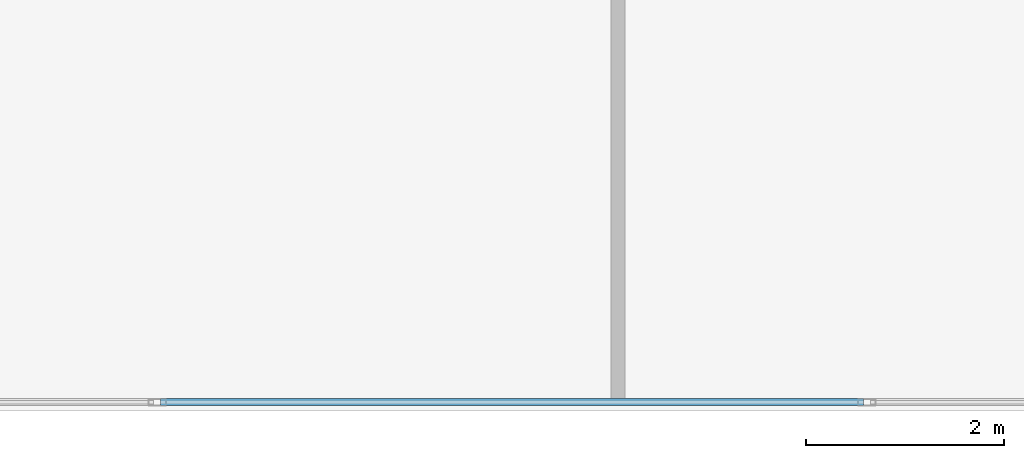
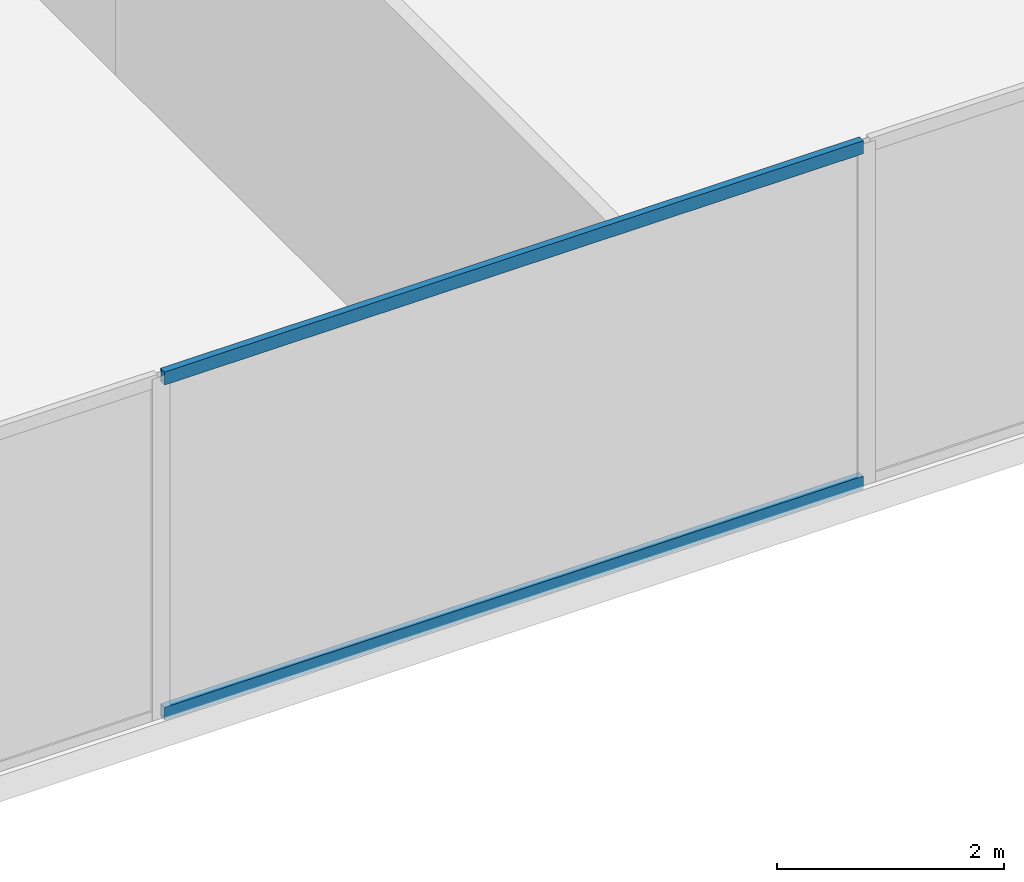
# One storey, part 3 of 28: 2 members, 1 element without a shape of its own.
"""IFC4 building model written with IfcOpenShell, lengths in metres."""

import ifcopenshell
import ifcopenshell.guid

model = None  # the IFC model being written
_history = None  # IfcOwnerHistory: only IFC2X3 demands one
_inside = {}  # id of a spatial element -> (the spatial element, [elements in it])
_under = {}  # id of a project, library or spatial element -> (it, [spatial elements below it])
_declared = {}  # id of a project -> (the project, [libraries it declares])
_typed = {}  # id of a type object -> (the type object, [elements of that type])
_made_of = {}  # id of a material, layer set ... -> (it, [elements and type objects made of it])


def new_model(schema):
    """Start an empty IFC model of exactly this schema.

    Asked for "IFC4X3", IfcOpenShell would pick the latest addendum, in which some entities
    have other attributes; the version numbers below select the first issue.
    IFC2X3 requires an IfcOwnerHistory on every rooted entity: one is made here for all.
    """
    global model, _history
    if schema == "IFC4X3":
        model = ifcopenshell.file(schema_version=(4, 3, 0, 0))
    else:
        model = ifcopenshell.file(schema=schema)
    _inside.clear()
    _under.clear()
    _declared.clear()
    _typed.clear()
    _made_of.clear()
    _history = None
    if model.schema == "IFC2X3":
        org = make("IfcOrganization", Name="unknown")
        user = make(
            "IfcPersonAndOrganization",
            ThePerson=make("IfcPerson", FamilyName="unknown"),
            TheOrganization=org,
        )
        app = make(
            "IfcApplication",
            ApplicationDeveloper=org,
            Version="unknown",
            ApplicationFullName="unknown",
            ApplicationIdentifier="unknown",
        )
        _history = make(
            "IfcOwnerHistory",
            OwningUser=user,
            OwningApplication=app,
            ChangeAction="ADDED",
            CreationDate=0,
        )
    return model


def make(cls, **values):
    """One entity of the class cls with the attributes given. An attribute that is None is left unset."""
    return model.create_entity(
        cls, **{name: value for name, value in values.items() if value is not None}
    )


def rooted(cls, **values):
    """An entity with a GlobalId (a new one), such as an element, a storey or a relation."""
    return make(cls, GlobalId=ifcopenshell.guid.new(), OwnerHistory=_history, **values)


def si_unit(unit_type, name, prefix=None):
    """IfcSIUnit, for example si_unit("LENGTHUNIT", "METRE", prefix="MILLI")."""
    return make("IfcSIUnit", UnitType=unit_type, Prefix=prefix, Name=name)


def assignment(units):
    """IfcUnitAssignment: the units of a project."""
    return None if units is None else make("IfcUnitAssignment", Units=units)


def point(xyz):
    """IfcCartesianPoint."""
    return None if xyz is None else make("IfcCartesianPoint", Coordinates=xyz)


def direction(xyz):
    """IfcDirection."""
    return None if xyz is None else make("IfcDirection", DirectionRatios=xyz)


def frame(location, z_axis=None, x_axis=None):
    """IfcAxis2Placement3D, a coordinate frame: its origin and axes. An axis left out is left unset."""
    return make(
        "IfcAxis2Placement3D",
        Location=point(location),
        Axis=direction(z_axis),
        RefDirection=direction(x_axis),
    )


def frame_2d(location, x_axis=None):
    """IfcAxis2Placement2D, a coordinate frame in the plane: its origin and x axis."""
    return make(
        "IfcAxis2Placement2D", Location=point(location), RefDirection=direction(x_axis)
    )


def origin():
    """The frame at (0, 0, 0) with its axes left unset."""
    return frame((0.0, 0.0, 0.0))


def origin_2d():
    """The frame at (0, 0) in the plane with its x axis left unset."""
    return frame_2d((0.0, 0.0))


def place(relative_to, where):
    """IfcLocalPlacement: puts the frame where relative to a parent placement (None: the world)."""
    return make(
        "IfcLocalPlacement", PlacementRelTo=relative_to, RelativePlacement=where
    )


def context(
    kind, dimensions, precision=None, world=None, true_north=None, identifier=None
):
    """IfcGeometricRepresentationContext, for example the 3D "Model" context."""
    return make(
        "IfcGeometricRepresentationContext",
        ContextIdentifier=identifier,
        ContextType=kind,
        CoordinateSpaceDimension=dimensions,
        Precision=precision,
        WorldCoordinateSystem=world,
        TrueNorth=true_north,
    )


def subcontext(parent, identifier, kind, view, scale=None):
    """IfcGeometricRepresentationSubContext, for example "Body" below "Model"."""
    return make(
        "IfcGeometricRepresentationSubContext",
        ContextIdentifier=identifier,
        ContextType=kind,
        ParentContext=parent,
        TargetScale=scale,
        TargetView=view,
    )


def project(units=None, contexts=None):
    """IfcProject with its units and contexts."""
    return rooted(
        "IfcProject",
        Name="project",
        RepresentationContexts=contexts,
        UnitsInContext=assignment(units),
    )


def spatial(cls, under=None, at=None, **own):
    """A site, building, storey or space (cls), placed at a placement, below another one or the project."""
    s = rooted(cls, ObjectPlacement=at, **own)
    if under is not None:
        _under.setdefault(under.id(), (under, []))[1].append(s)
    return s


def profile(cls, at=None, kind="AREA", **sizes):
    """A parametric profile (cls). Its sizes go by their IFC names, for example OverallWidth=200.0."""
    return make(cls, ProfileType=kind, Position=at, **sizes)


def hollow_rectangle(**sizes):
    """IfcRectangleHollowProfileDef."""
    return profile("IfcRectangleHollowProfileDef", **sizes)


def extrude(swept, where, along, depth):
    """IfcExtrudedAreaSolid: the profile swept, set in the frame where, extruded along a direction by depth."""
    return make(
        "IfcExtrudedAreaSolid",
        SweptArea=swept,
        Position=where,
        ExtrudedDirection=direction(along),
        Depth=depth,
    )


def shape(context_of_items, identifier, shape_type, items):
    """IfcShapeRepresentation: the items that make up one representation, for example the "Body"."""
    return make(
        "IfcShapeRepresentation",
        ContextOfItems=context_of_items,
        RepresentationIdentifier=identifier,
        RepresentationType=shape_type,
        Items=items,
    )


def source(mapping_origin, context_of_items, identifier, shape_type, items):
    """IfcRepresentationMap: a shape defined once, which mapped items show again and again."""
    return make(
        "IfcRepresentationMap",
        MappingOrigin=mapping_origin,
        MappedRepresentation=shape(context_of_items, identifier, shape_type, items),
    )


def transform(
    local_origin,
    x_axis=None,
    y_axis=None,
    z_axis=None,
    scale=None,
    scale2=None,
    scale3=None,
    uniform=True,
):
    """IfcCartesianTransformationOperator3D, or its non-uniform kind. x_axis, y_axis, z_axis: its Axis1, 2, 3."""
    if uniform:
        return make(
            "IfcCartesianTransformationOperator3D",
            Axis1=direction(x_axis),
            Axis2=direction(y_axis),
            LocalOrigin=point(local_origin),
            Scale=scale,
            Axis3=direction(z_axis),
        )
    return make(
        "IfcCartesianTransformationOperator3DnonUniform",
        Axis1=direction(x_axis),
        Axis2=direction(y_axis),
        LocalOrigin=point(local_origin),
        Scale=scale,
        Axis3=direction(z_axis),
        Scale2=scale2,
        Scale3=scale3,
    )


def mapped(mapping_source, mapping_target):
    """IfcMappedItem: shows the shape of a source again, moved by a transform."""
    return make(
        "IfcMappedItem", MappingSource=mapping_source, MappingTarget=mapping_target
    )


def material(Name=None, Category=None):
    """IfcMaterial."""
    return make("IfcMaterial", Name=Name, Category=Category)


def material_profile(
    of_material, cross_section, Name=None, Category=None, Priority=None
):
    """IfcMaterialProfile: a cross section and its material."""
    return make(
        "IfcMaterialProfile",
        Name=Name,
        Material=of_material,
        Profile=cross_section,
        Priority=Priority,
        Category=Category,
    )


def profile_set(profiles, Name=None, composite=None):
    """IfcMaterialProfileSet."""
    return make(
        "IfcMaterialProfileSet",
        Name=Name,
        MaterialProfiles=profiles,
        CompositeProfile=composite,
    )


def made_of(thing, what):
    """Note that an element or type object is made of a material, layer set ...; save() writes the relation."""
    if what is not None:
        _made_of.setdefault(what.id(), (what, []))[1].append(thing)
    return thing


def type_object(cls, material=None, **own):
    """A type object (cls), such as IfcWallType, which elements share."""
    return made_of(rooted(cls, **own), material)


def type_shapes(of_type, sources):
    """Give a type object the sources (RepresentationMaps) that its elements show as mapped items."""
    of_type.RepresentationMaps = sources


def element(
    cls,
    number,
    at=None,
    inside=None,
    cuts=None,
    type_object=None,
    material=None,
    context=None,
    identifier="Body",
    shape_type=None,
    held_by="IfcProductDefinitionShape",
    body=None,
    shapes=None,
    **own,
):
    """One element of the class cls, such as IfcWall. Its Tag is "e" and its number.

    at: its placement. inside: the storey or other place that contains it. cuts: it is an
    opening in that element (IfcRelVoidsElement). A single representation is given by context,
    identifier, shape_type and body (its items); several are given by shapes. held_by: the class
    of the entity that holds the representations. save() writes the other relations.
    """
    e = rooted(cls, Tag="e%d" % number, ObjectPlacement=at, **own)
    if body is not None:
        shapes = [shape(context, identifier, shape_type, body)]
    if shapes is not None:
        e.Representation = make(held_by, Representations=shapes)
    if inside is not None:
        _inside.setdefault(inside.id(), (inside, []))[1].append(e)
    if cuts is not None:
        rooted(
            "IfcRelVoidsElement", RelatingBuildingElement=cuts, RelatedOpeningElement=e
        )
    if type_object is not None:
        _typed.setdefault(type_object.id(), (type_object, []))[1].append(e)
    return made_of(e, material)


def aggregate(whole, parts):
    """IfcRelAggregates: a whole, such as a stair, and the parts it consists of."""
    return rooted("IfcRelAggregates", RelatingObject=whole, RelatedObjects=parts)


def save(model, path):
    """Write the relations noted so far, then the file.

    IfcRelAggregates (storeys below a building ...), IfcRelContainedInSpatialStructure (elements
    in a storey), IfcRelDefinesByType, IfcRelAssociatesMaterial and IfcRelDeclares: one each for
    every whole, place, type object, material and project.
    """
    for whole, parts in _under.values():
        aggregate(whole, parts)
    for where, things in _inside.values():
        rooted(
            "IfcRelContainedInSpatialStructure",
            RelatedElements=things,
            RelatingStructure=where,
        )
    for kind, things in _typed.values():
        rooted("IfcRelDefinesByType", RelatedObjects=things, RelatingType=kind)
    for what, things in _made_of.values():
        rooted("IfcRelAssociatesMaterial", RelatedObjects=things, RelatingMaterial=what)
    for by, libraries in _declared.values():
        rooted("IfcRelDeclares", RelatingContext=by, RelatedDefinitions=libraries)
    model.write(path)


model = new_model("IFC4")

# Units and contexts
model_context = context("Model", 3, precision=1e-05, world=origin(), true_north=direction((0.0, 1.0)))
body_context = subcontext(model_context, "Body", "Model", "MODEL_VIEW")
ifc_project = project(units=[si_unit("LENGTHUNIT", "METRE"), si_unit("AREAUNIT", "SQUARE_METRE"), si_unit("VOLUMEUNIT", "CUBIC_METRE"), si_unit("PLANEANGLEUNIT", "RADIAN"), si_unit("MASSUNIT", "GRAM", prefix="KILO")], contexts=[model_context])

# Site, building, storey
site_placement = place(None, origin())
site = spatial("IfcSite", under=ifc_project, at=site_placement, CompositionType="ELEMENT")
building_placement = place(site_placement, origin())
building = spatial("IfcBuilding", under=site, at=building_placement, Name="Krantzveldt Concourse Tower", CompositionType="ELEMENT")
storey_placement = place(building_placement, frame((0.0, 0.0, 32.89990234375)))
storey = spatial("IfcBuildingStorey", under=building, at=storey_placement, Name="L07", CompositionType="ELEMENT", Elevation=32.89990234375)

# Curtain wall, members
ifc_material = material(Name="Anodised aluminium 6063-T6", Category="aluminium")
curtain_wall_type = type_object("IfcCurtainWallType", Name="CW2", PredefinedType="USERDEFINED", material=ifc_material)
curtain_wall_placement = place(storey_placement, origin())
curtain_wall = element("IfcCurtainWall", 1, at=curtain_wall_placement, inside=storey, type_object=curtain_wall_type, Name="CW-L07-F04", ObjectType="UNITISED CURTAIN WALL", PredefinedType="USERDEFINED")
ifc_material_profile = material_profile(ifc_material, hollow_rectangle(XDim=0.070068359375, YDim=0.139892578125, WallThickness=0.0048828125, at=origin_2d()), Name="Anodised aluminium 6063-T6", Category="aluminium")
ifc_profile_set = profile_set([ifc_material_profile], Name="Anodised aluminium 6063-T6 - ALU-TRAN 140x70x5")
member_type = type_object("IfcMemberType", Name="CW-TRN-150", PredefinedType="USERDEFINED", material=ifc_profile_set)
shared_shape = source(origin(), body_context, "Body", "SweptSolid", [
    extrude(hollow_rectangle(XDim=0.070068359375, YDim=0.139892578125, WallThickness=0.0048828125, at=origin_2d()), origin(), (0.0, 0.0, 1.0), 7.0966796875),
])
type_shapes(member_type, [shared_shape])
member_1_placement = place(storey_placement, frame((21.70166015625, 1.7900390625, 0.03515625), z_axis=(1.0, 0.0, 0.0), x_axis=(0.0, 1.0, 0.0)))
member_1 = element("IfcMember", 2, at=member_1_placement, type_object=member_type, Name="CW-Z12 transom 2.1", ObjectType="TRANSOM", PredefinedType="USERDEFINED", context=body_context, shape_type="MappedRepresentation", body=[
    mapped(shared_shape, transform((0.0, 0.0, 0.0), x_axis=(1.0, 0.0, 0.0), y_axis=(0.0, 1.0, 0.0), z_axis=(0.0, 0.0, 1.0), scale=1.0)),
])
member_2_placement = place(storey_placement, frame((21.70166015625, 1.7900390625, 3.635009765625), z_axis=(1.0, 0.0, 0.0), x_axis=(0.0, 1.0, 0.0)))
member_2 = element("IfcMember", 3, at=member_2_placement, type_object=member_type, Name="CW-Z12 transom 2.2", ObjectType="TRANSOM", PredefinedType="USERDEFINED", context=body_context, shape_type="MappedRepresentation", body=[
    mapped(shared_shape, transform((0.0, 0.0, 0.0), x_axis=(1.0, 0.0, 0.0), y_axis=(0.0, 1.0, 0.0), z_axis=(0.0, 0.0, 1.0), scale=1.0)),
])
aggregate(curtain_wall, [member_1, member_2])

save(model, "model.ifc")
